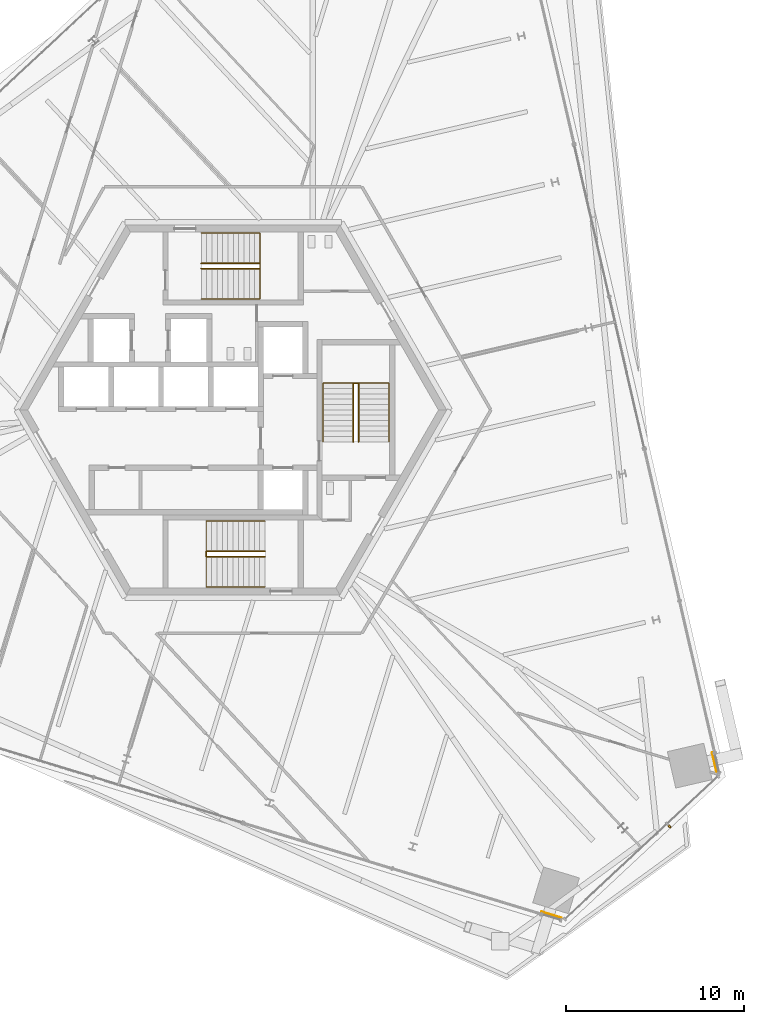
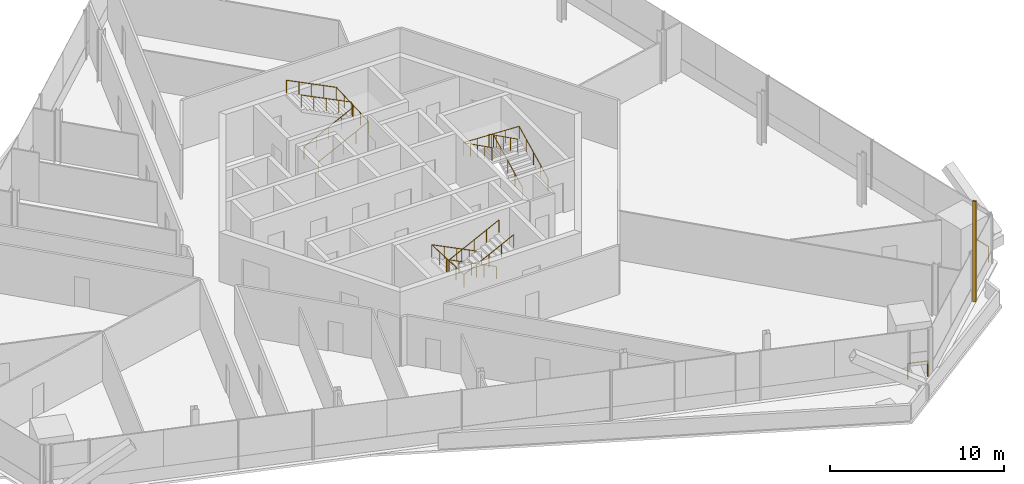
# One storey, part 23 of 25: 8 railings, 1 shading device.
"""IFC4 building model written with IfcOpenShell, lengths in metres."""

from ifc_helpers import new_model, si_unit, direction, frame, origin, origin_2d, place, context, subcontext, project, spatial, rectangle, circle, extrude, source, transform, mapped, material, type_object, element, save


model = new_model("IFC4")

# Units and contexts
model_context = context("Model", 3, precision=1e-05, world=origin(), true_north=direction((0.0, 1.0)))
body_context = subcontext(model_context, "Body", "Model", "MODEL_VIEW")
ifc_project = project(units=[si_unit("LENGTHUNIT", "METRE"), si_unit("AREAUNIT", "SQUARE_METRE"), si_unit("VOLUMEUNIT", "CUBIC_METRE"), si_unit("PLANEANGLEUNIT", "RADIAN"), si_unit("MASSUNIT", "GRAM", prefix="KILO")], contexts=[model_context])

# Site, building, storey
site_placement = place(None, origin())
site = spatial("IfcSite", under=ifc_project, at=site_placement, CompositionType="ELEMENT")
building_placement = place(site_placement, origin())
building = spatial("IfcBuilding", under=site, at=building_placement, Name="Triune Harvest Tower", CompositionType="ELEMENT")
storey_placement = place(building_placement, frame((0.0, 0.0, 98.300048828125)))
storey = spatial("IfcBuildingStorey", under=building, at=storey_placement, Name="L24", CompositionType="ELEMENT", Elevation=98.300048828125)

# Railings
ifc_material_1 = material(Name="Glass", Category="glass")
railing_type_1 = type_object("IfcRailingType", Name="GD-3 facade guard 1100", PredefinedType="GUARDRAIL", material=ifc_material_1)
railing_1_placement = place(storey_placement, frame((27.18603515625, -20.39990234375, 0.0)))
element("IfcRailing", 1, at=railing_1_placement, inside=storey, type_object=railing_type_1, Name="Facade guard B3-F1 L24.1.1", PredefinedType="GUARDRAIL", context=body_context, shape_type="SweptSolid", body=[
    extrude(circle(Radius=0.02392578125, at=origin_2d()), frame((0.0, 0.0, 1.076171875), z_axis=(-0.2250421212, 0.974349035862, 0.0), x_axis=(-0.974349035862, -0.2250421212, 0.0)), (0.0, 0.0, 1.0), 1.171630859375),
    extrude(circle(Radius=0.02099609375, at=origin_2d()), origin(), (0.0, 0.0, 1.0), 1.052001953125),
    extrude(circle(Radius=0.02099609375, at=origin_2d()), frame((-0.263671875, 1.1416015625, 0.0)), (0.0, 0.0, 1.0), 1.052001953125),
])
railing_2_placement = place(storey_placement, frame((17.333251953125, -28.2001953125, 0.0)))
element("IfcRailing", 2, at=railing_2_placement, inside=storey, type_object=railing_type_1, Name="Facade guard B3-F5 L24.1.2", PredefinedType="GUARDRAIL", context=body_context, shape_type="SweptSolid", body=[
    extrude(circle(Radius=0.02392578125, at=origin_2d()), frame((0.0, 0.0, 1.076171875), z_axis=(0.956322453302, -0.292313813068, 0.0), x_axis=(0.292313813068, 0.956322453302, 0.0)), (0.0, 0.0, 1.0), 1.171875),
    extrude(circle(Radius=0.02099609375, at=origin_2d()), origin(), (0.0, 0.0, 1.0), 1.052001953125),
    extrude(circle(Radius=0.02099609375, at=origin_2d()), frame((1.12060546875, -0.342529296875, 0.0)), (0.0, 0.0, 1.0), 1.052001953125),
])
ifc_material_2 = material(Name="Stainless steel AISI 316", Category="steel")
railing_type_2 = type_object("IfcRailingType", Name="Stair handrail", PredefinedType="HANDRAIL", material=ifc_material_2)
shared_shape_1 = source(origin(), body_context, "Body", "SweptSolid", [
    extrude(circle(Radius=0.02392578125, at=origin_2d()), frame((0.0, 0.0, 0.8759765625), z_axis=(0.894413956696, 0.0, 0.447240063129), x_axis=(0.0, 1.0, 0.0)), (0.0, 0.0, 1.0), 3.689697265625),
    extrude(circle(Radius=0.02392578125, at=origin_2d()), frame((3.300048828125, 0.0, 2.52587890625), z_axis=(0.0, 0.999180289278, 0.040481471304), x_axis=(-1.0, 0.0, 0.0)), (0.0, 0.0, 1.0), 3.702880859375),
    extrude(circle(Radius=0.02392578125, at=origin_2d()), frame((3.300048828125, 3.699951171875, 2.67578125), z_axis=(-0.894440424912, 0.0, 0.447187126696), x_axis=(0.0, -1.0, 0.0)), (0.0, 0.0, 1.0), 3.689453125),
    extrude(circle(Radius=0.02099609375, at=origin_2d()), origin(), (0.0, 0.0, 1.0), 0.851806640625),
    extrude(circle(Radius=0.02099609375, at=origin_2d()), frame((0.824951171875, 0.0, 0.41259765625)), (0.0, 0.0, 1.0), 0.851806640625),
    extrude(circle(Radius=0.02099609375, at=origin_2d()), frame((1.64990234375, 0.0, 0.8251953125)), (0.0, 0.0, 1.0), 0.851806640625),
    extrude(circle(Radius=0.02099609375, at=origin_2d()), frame((2.47509765625, 0.0, 1.237548828125)), (0.0, 0.0, 1.0), 0.851806640625),
    extrude(circle(Radius=0.02099609375, at=origin_2d()), frame((3.300048828125, 0.0, 1.650146484375)), (0.0, 0.0, 1.0), 0.851806640625),
    extrude(circle(Radius=0.02099609375, at=origin_2d()), frame((3.300048828125, 0.925048828125, 1.6875)), (0.0, 0.0, 1.0), 0.851806640625),
    extrude(circle(Radius=0.02099609375, at=origin_2d()), frame((3.300048828125, 1.85009765625, 1.72509765625)), (0.0, 0.0, 1.0), 0.851806640625),
    extrude(circle(Radius=0.02099609375, at=origin_2d()), frame((3.300048828125, 2.77490234375, 1.7626953125)), (0.0, 0.0, 1.0), 0.851806640625),
    extrude(circle(Radius=0.02099609375, at=origin_2d()), frame((3.300048828125, 3.699951171875, 1.800048828125)), (0.0, 0.0, 1.0), 0.851806640625),
    extrude(circle(Radius=0.02099609375, at=origin_2d()), frame((2.47509765625, 3.699951171875, 2.21240234375)), (0.0, 0.0, 1.0), 0.851806640625),
    extrude(circle(Radius=0.02099609375, at=origin_2d()), frame((1.64990234375, 3.699951171875, 2.625)), (0.0, 0.0, 1.0), 0.851806640625),
    extrude(circle(Radius=0.02099609375, at=origin_2d()), frame((0.824951171875, 3.699951171875, 3.03759765625)), (0.0, 0.0, 1.0), 0.851806640625),
    extrude(circle(Radius=0.02099609375, at=origin_2d()), frame((0.0, 3.699951171875, 3.449951171875)), (0.0, 0.0, 1.0), 0.851806640625),
])
railing_3_placement = place(storey_placement, frame((-1.7900390625, 6.239990234375, 0.14990234375)))
element("IfcRailing", 3, at=railing_3_placement, inside=storey, type_object=railing_type_2, Name="Exit stair north wall handrail", PredefinedType="HANDRAIL", context=body_context, shape_type="MappedRepresentation", body=[
    mapped(shared_shape_1, transform((0.0, 0.0, 0.0), scale=1.0)),
])
shared_shape_2 = source(origin(), body_context, "Body", "SweptSolid", [
    extrude(circle(Radius=0.02392578125, at=origin_2d()), frame((0.0, 0.0, 0.8759765625), z_axis=(0.894413956696, 0.0, 0.447240063129), x_axis=(0.0, 1.0, 0.0)), (0.0, 0.0, 1.0), 3.689697265625),
    extrude(circle(Radius=0.02392578125, at=origin_2d()), frame((3.300048828125, 0.0, 2.52587890625), z_axis=(0.0, 0.894572720946, 0.446922417137), x_axis=(-1.0, 0.0, 0.0)), (0.0, 0.0, 1.0), 0.33544921875),
    extrude(circle(Radius=0.02392578125, at=origin_2d()), frame((3.300048828125, 0.300048828125, 2.67578125), z_axis=(-0.894440424912, 0.0, 0.447187126696), x_axis=(0.0, -1.0, 0.0)), (0.0, 0.0, 1.0), 3.689453125),
    extrude(circle(Radius=0.02099609375, at=origin_2d()), origin(), (0.0, 0.0, 1.0), 0.851806640625),
    extrude(circle(Radius=0.02099609375, at=origin_2d()), frame((0.824951171875, 0.0, 0.41259765625)), (0.0, 0.0, 1.0), 0.851806640625),
    extrude(circle(Radius=0.02099609375, at=origin_2d()), frame((1.64990234375, 0.0, 0.8251953125)), (0.0, 0.0, 1.0), 0.851806640625),
    extrude(circle(Radius=0.02099609375, at=origin_2d()), frame((2.47509765625, 0.0, 1.237548828125)), (0.0, 0.0, 1.0), 0.851806640625),
    extrude(circle(Radius=0.02099609375, at=origin_2d()), frame((3.300048828125, 0.0, 1.650146484375)), (0.0, 0.0, 1.0), 0.851806640625),
    extrude(circle(Radius=0.02099609375, at=origin_2d()), frame((3.300048828125, 0.300048828125, 1.800048828125)), (0.0, 0.0, 1.0), 0.851806640625),
    extrude(circle(Radius=0.02099609375, at=origin_2d()), frame((2.47509765625, 0.300048828125, 2.21240234375)), (0.0, 0.0, 1.0), 0.851806640625),
    extrude(circle(Radius=0.02099609375, at=origin_2d()), frame((1.64990234375, 0.300048828125, 2.625)), (0.0, 0.0, 1.0), 0.851806640625),
    extrude(circle(Radius=0.02099609375, at=origin_2d()), frame((0.824951171875, 0.300048828125, 3.03759765625)), (0.0, 0.0, 1.0), 0.851806640625),
    extrude(circle(Radius=0.02099609375, at=origin_2d()), frame((0.0, 0.300048828125, 3.449951171875)), (0.0, 0.0, 1.0), 0.851806640625),
])
railing_4_placement = place(storey_placement, frame((-1.7900390625, 7.93994140625, 0.14990234375)))
element("IfcRailing", 4, at=railing_4_placement, inside=storey, type_object=railing_type_2, Name="Exit stair north centre handrail", PredefinedType="HANDRAIL", context=body_context, shape_type="MappedRepresentation", body=[
    mapped(shared_shape_2, transform((0.0, 0.0, 0.0), scale=1.0)),
])
shared_shape_3 = source(origin(), body_context, "Body", "SweptSolid", [
    extrude(circle(Radius=0.02392578125, at=origin_2d()), frame((0.0, 0.0, 0.8759765625), z_axis=(-0.894413956696, 0.0, 0.447240063129), x_axis=(0.0, -1.0, 0.0)), (0.0, 0.0, 1.0), 3.689697265625),
    extrude(circle(Radius=0.02392578125, at=origin_2d()), frame((-3.300048828125, 0.0, 2.52587890625), z_axis=(0.0, -0.999180289278, 0.040481471304), x_axis=(1.0, 0.0, 0.0)), (0.0, 0.0, 1.0), 3.702880859375),
    extrude(circle(Radius=0.02392578125, at=origin_2d()), frame((-3.300048828125, -3.699951171875, 2.67578125), z_axis=(0.894440424912, 0.0, 0.447187126696), x_axis=(0.0, 1.0, 0.0)), (0.0, 0.0, 1.0), 3.689453125),
    extrude(circle(Radius=0.02099609375, at=origin_2d()), origin(), (0.0, 0.0, 1.0), 0.851806640625),
    extrude(circle(Radius=0.02099609375, at=origin_2d()), frame((-0.824951171875, 0.0, 0.41259765625)), (0.0, 0.0, 1.0), 0.851806640625),
    extrude(circle(Radius=0.02099609375, at=origin_2d()), frame((-1.64990234375, 0.0, 0.8251953125)), (0.0, 0.0, 1.0), 0.851806640625),
    extrude(circle(Radius=0.02099609375, at=origin_2d()), frame((-2.47509765625, 0.0, 1.237548828125)), (0.0, 0.0, 1.0), 0.851806640625),
    extrude(circle(Radius=0.02099609375, at=origin_2d()), frame((-3.300048828125, 0.0, 1.650146484375)), (0.0, 0.0, 1.0), 0.851806640625),
    extrude(circle(Radius=0.02099609375, at=origin_2d()), frame((-3.300048828125, -0.925048828125, 1.6875)), (0.0, 0.0, 1.0), 0.851806640625),
    extrude(circle(Radius=0.02099609375, at=origin_2d()), frame((-3.300048828125, -1.85009765625, 1.72509765625)), (0.0, 0.0, 1.0), 0.851806640625),
    extrude(circle(Radius=0.02099609375, at=origin_2d()), frame((-3.300048828125, -2.77490234375, 1.7626953125)), (0.0, 0.0, 1.0), 0.851806640625),
    extrude(circle(Radius=0.02099609375, at=origin_2d()), frame((-3.300048828125, -3.699951171875, 1.800048828125)), (0.0, 0.0, 1.0), 0.851806640625),
    extrude(circle(Radius=0.02099609375, at=origin_2d()), frame((-2.47509765625, -3.699951171875, 2.21240234375)), (0.0, 0.0, 1.0), 0.851806640625),
    extrude(circle(Radius=0.02099609375, at=origin_2d()), frame((-1.64990234375, -3.699951171875, 2.625)), (0.0, 0.0, 1.0), 0.851806640625),
    extrude(circle(Radius=0.02099609375, at=origin_2d()), frame((-0.824951171875, -3.699951171875, 3.03759765625)), (0.0, 0.0, 1.0), 0.851806640625),
    extrude(circle(Radius=0.02099609375, at=origin_2d()), frame((0.0, -3.699951171875, 3.449951171875)), (0.0, 0.0, 1.0), 0.851806640625),
])
railing_5_placement = place(storey_placement, frame((1.7900390625, -6.239990234375, 0.14990234375)))
element("IfcRailing", 5, at=railing_5_placement, inside=storey, type_object=railing_type_2, Name="Exit stair south wall handrail", PredefinedType="HANDRAIL", context=body_context, shape_type="MappedRepresentation", body=[
    mapped(shared_shape_3, transform((0.0, 0.0, 0.0), scale=1.0)),
])
shared_shape_4 = source(origin(), body_context, "Body", "SweptSolid", [
    extrude(circle(Radius=0.02392578125, at=origin_2d()), frame((0.0, 0.0, 0.8759765625), z_axis=(-0.894413956696, 0.0, 0.447240063129), x_axis=(0.0, -1.0, 0.0)), (0.0, 0.0, 1.0), 3.689697265625),
    extrude(circle(Radius=0.02392578125, at=origin_2d()), frame((-3.300048828125, 0.0, 2.52587890625), z_axis=(0.0, -0.894572720946, 0.446922417137), x_axis=(1.0, 0.0, 0.0)), (0.0, 0.0, 1.0), 0.33544921875),
    extrude(circle(Radius=0.02392578125, at=origin_2d()), frame((-3.300048828125, -0.300048828125, 2.67578125), z_axis=(0.894440424912, 0.0, 0.447187126696), x_axis=(0.0, 1.0, 0.0)), (0.0, 0.0, 1.0), 3.689453125),
    extrude(circle(Radius=0.02099609375, at=origin_2d()), origin(), (0.0, 0.0, 1.0), 0.851806640625),
    extrude(circle(Radius=0.02099609375, at=origin_2d()), frame((-0.824951171875, 0.0, 0.41259765625)), (0.0, 0.0, 1.0), 0.851806640625),
    extrude(circle(Radius=0.02099609375, at=origin_2d()), frame((-1.64990234375, 0.0, 0.8251953125)), (0.0, 0.0, 1.0), 0.851806640625),
    extrude(circle(Radius=0.02099609375, at=origin_2d()), frame((-2.47509765625, 0.0, 1.237548828125)), (0.0, 0.0, 1.0), 0.851806640625),
    extrude(circle(Radius=0.02099609375, at=origin_2d()), frame((-3.300048828125, 0.0, 1.650146484375)), (0.0, 0.0, 1.0), 0.851806640625),
    extrude(circle(Radius=0.02099609375, at=origin_2d()), frame((-3.300048828125, -0.300048828125, 1.800048828125)), (0.0, 0.0, 1.0), 0.851806640625),
    extrude(circle(Radius=0.02099609375, at=origin_2d()), frame((-2.47509765625, -0.300048828125, 2.21240234375)), (0.0, 0.0, 1.0), 0.851806640625),
    extrude(circle(Radius=0.02099609375, at=origin_2d()), frame((-1.64990234375, -0.300048828125, 2.625)), (0.0, 0.0, 1.0), 0.851806640625),
    extrude(circle(Radius=0.02099609375, at=origin_2d()), frame((-0.824951171875, -0.300048828125, 3.03759765625)), (0.0, 0.0, 1.0), 0.851806640625),
    extrude(circle(Radius=0.02099609375, at=origin_2d()), frame((0.0, -0.300048828125, 3.449951171875)), (0.0, 0.0, 1.0), 0.851806640625),
])
railing_6_placement = place(storey_placement, frame((1.7900390625, -7.93994140625, 0.14990234375)))
element("IfcRailing", 6, at=railing_6_placement, inside=storey, type_object=railing_type_2, Name="Exit stair south centre handrail", PredefinedType="HANDRAIL", context=body_context, shape_type="MappedRepresentation", body=[
    mapped(shared_shape_4, transform((0.0, 0.0, 0.0), scale=1.0)),
])
shared_shape_5 = source(origin(), body_context, "Body", "SweptSolid", [
    extrude(circle(Radius=0.02392578125, at=origin_2d()), frame((0.0, 0.0, 0.8759765625), z_axis=(0.0, 0.894413956696, 0.447240063129), x_axis=(-1.0, 0.0, 0.0)), (0.0, 0.0, 1.0), 3.689697265625),
    extrude(circle(Radius=0.02392578125, at=origin_2d()), frame((0.0, 3.300048828125, 2.52587890625), z_axis=(-0.999180289278, 0.0, 0.040481471304), x_axis=(0.0, -1.0, 0.0)), (0.0, 0.0, 1.0), 3.702880859375),
    extrude(circle(Radius=0.02392578125, at=origin_2d()), frame((-3.699951171875, 3.300048828125, 2.67578125), z_axis=(0.0, -0.894440424912, 0.447187126696), x_axis=(1.0, 0.0, 0.0)), (0.0, 0.0, 1.0), 3.689453125),
    extrude(circle(Radius=0.02099609375, at=origin_2d()), origin(), (0.0, 0.0, 1.0), 0.851806640625),
    extrude(circle(Radius=0.02099609375, at=origin_2d()), frame((0.0, 0.824951171875, 0.41259765625)), (0.0, 0.0, 1.0), 0.851806640625),
    extrude(circle(Radius=0.02099609375, at=origin_2d()), frame((0.0, 1.64990234375, 0.8251953125)), (0.0, 0.0, 1.0), 0.851806640625),
    extrude(circle(Radius=0.02099609375, at=origin_2d()), frame((0.0, 2.47509765625, 1.237548828125)), (0.0, 0.0, 1.0), 0.851806640625),
    extrude(circle(Radius=0.02099609375, at=origin_2d()), frame((0.0, 3.300048828125, 1.650146484375)), (0.0, 0.0, 1.0), 0.851806640625),
    extrude(circle(Radius=0.02099609375, at=origin_2d()), frame((-0.925048828125, 3.300048828125, 1.6875)), (0.0, 0.0, 1.0), 0.851806640625),
    extrude(circle(Radius=0.02099609375, at=origin_2d()), frame((-1.85009765625, 3.300048828125, 1.72509765625)), (0.0, 0.0, 1.0), 0.851806640625),
    extrude(circle(Radius=0.02099609375, at=origin_2d()), frame((-2.77490234375, 3.300048828125, 1.7626953125)), (0.0, 0.0, 1.0), 0.851806640625),
    extrude(circle(Radius=0.02099609375, at=origin_2d()), frame((-3.699951171875, 3.300048828125, 1.800048828125)), (0.0, 0.0, 1.0), 0.851806640625),
    extrude(circle(Radius=0.02099609375, at=origin_2d()), frame((-3.699951171875, 2.47509765625, 2.21240234375)), (0.0, 0.0, 1.0), 0.851806640625),
    extrude(circle(Radius=0.02099609375, at=origin_2d()), frame((-3.699951171875, 1.64990234375, 2.625)), (0.0, 0.0, 1.0), 0.851806640625),
    extrude(circle(Radius=0.02099609375, at=origin_2d()), frame((-3.699951171875, 0.824951171875, 3.03759765625)), (0.0, 0.0, 1.0), 0.851806640625),
    extrude(circle(Radius=0.02099609375, at=origin_2d()), frame((-3.699951171875, 0.0, 3.449951171875)), (0.0, 0.0, 1.0), 0.851806640625),
])
railing_7_placement = place(storey_placement, frame((8.75, -1.7900390625, 0.14990234375)))
element("IfcRailing", 7, at=railing_7_placement, inside=storey, type_object=railing_type_2, Name="Exit stair east wall handrail", PredefinedType="HANDRAIL", context=body_context, shape_type="MappedRepresentation", body=[
    mapped(shared_shape_5, transform((0.0, 0.0, 0.0), scale=1.0)),
])
shared_shape_6 = source(origin(), body_context, "Body", "SweptSolid", [
    extrude(circle(Radius=0.02392578125, at=origin_2d()), frame((0.0, 0.0, 0.8759765625), z_axis=(0.0, 0.894413956696, 0.447240063129), x_axis=(-1.0, 0.0, 0.0)), (0.0, 0.0, 1.0), 3.689697265625),
    extrude(circle(Radius=0.02392578125, at=origin_2d()), frame((0.0, 3.300048828125, 2.52587890625), z_axis=(-0.894572720946, 0.0, 0.446922417137), x_axis=(0.0, -1.0, 0.0)), (0.0, 0.0, 1.0), 0.33544921875),
    extrude(circle(Radius=0.02392578125, at=origin_2d()), frame((-0.300048828125, 3.300048828125, 2.67578125), z_axis=(0.0, -0.894440424912, 0.447187126696), x_axis=(1.0, 0.0, 0.0)), (0.0, 0.0, 1.0), 3.689453125),
    extrude(circle(Radius=0.02099609375, at=origin_2d()), origin(), (0.0, 0.0, 1.0), 0.851806640625),
    extrude(circle(Radius=0.02099609375, at=origin_2d()), frame((0.0, 0.824951171875, 0.41259765625)), (0.0, 0.0, 1.0), 0.851806640625),
    extrude(circle(Radius=0.02099609375, at=origin_2d()), frame((0.0, 1.64990234375, 0.8251953125)), (0.0, 0.0, 1.0), 0.851806640625),
    extrude(circle(Radius=0.02099609375, at=origin_2d()), frame((0.0, 2.47509765625, 1.237548828125)), (0.0, 0.0, 1.0), 0.851806640625),
    extrude(circle(Radius=0.02099609375, at=origin_2d()), frame((0.0, 3.300048828125, 1.650146484375)), (0.0, 0.0, 1.0), 0.851806640625),
    extrude(circle(Radius=0.02099609375, at=origin_2d()), frame((-0.300048828125, 3.300048828125, 1.800048828125)), (0.0, 0.0, 1.0), 0.851806640625),
    extrude(circle(Radius=0.02099609375, at=origin_2d()), frame((-0.300048828125, 2.47509765625, 2.21240234375)), (0.0, 0.0, 1.0), 0.851806640625),
    extrude(circle(Radius=0.02099609375, at=origin_2d()), frame((-0.300048828125, 1.64990234375, 2.625)), (0.0, 0.0, 1.0), 0.851806640625),
    extrude(circle(Radius=0.02099609375, at=origin_2d()), frame((-0.300048828125, 0.824951171875, 3.03759765625)), (0.0, 0.0, 1.0), 0.851806640625),
    extrude(circle(Radius=0.02099609375, at=origin_2d()), frame((-0.300048828125, 0.0, 3.449951171875)), (0.0, 0.0, 1.0), 0.851806640625),
])
railing_8_placement = place(storey_placement, frame((7.050048828125, -1.7900390625, 0.14990234375)))
element("IfcRailing", 8, at=railing_8_placement, inside=storey, type_object=railing_type_2, Name="Exit stair east centre handrail", PredefinedType="HANDRAIL", context=body_context, shape_type="MappedRepresentation", body=[
    mapped(shared_shape_6, transform((0.0, 0.0, 0.0), scale=1.0)),
])

# Shading device
ifc_material_3 = material(Name="Aluminium bronze anodised", Category="aluminium")
shared_shape_7 = source(origin(), body_context, "Body", "SweptSolid", [
    extrude(rectangle(XDim=0.10009765625, YDim=0.199951171875, at=origin_2d()), origin(), (0.0, 0.0, 1.0), 7.0400390625),
])
shading_device_placement = place(storey_placement, frame((24.51806640625, -23.397216796875, 0.0), z_axis=(0.0, 0.0, 1.0), x_axis=(0.731349946151, 0.682002387287, 0.0)))
element("IfcShadingDevice", 9, at=shading_device_placement, inside=storey, material=ifc_material_3, Name="FN-1 fin B3-F6.3 L24", ObjectType="FIN", PredefinedType="USERDEFINED", context=body_context, shape_type="MappedRepresentation", body=[
    mapped(shared_shape_7, transform((0.0, 0.0, 0.0), scale=1.0)),
])

save(model, "model.ifc")
